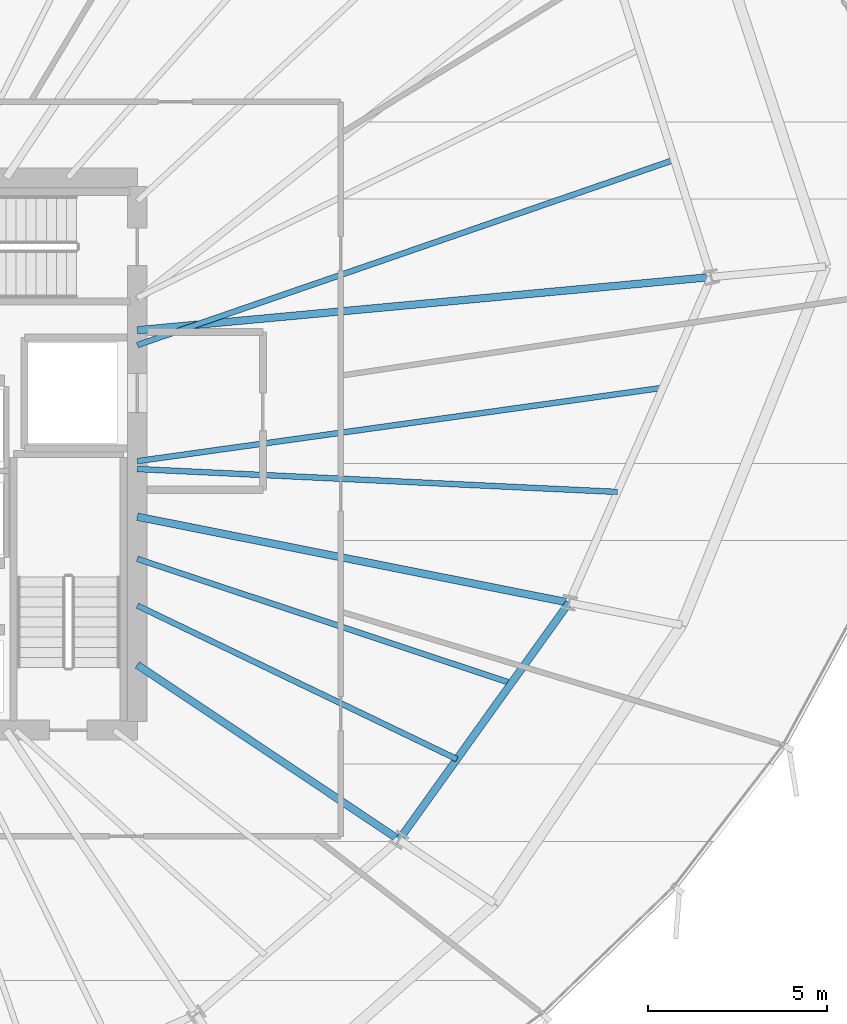
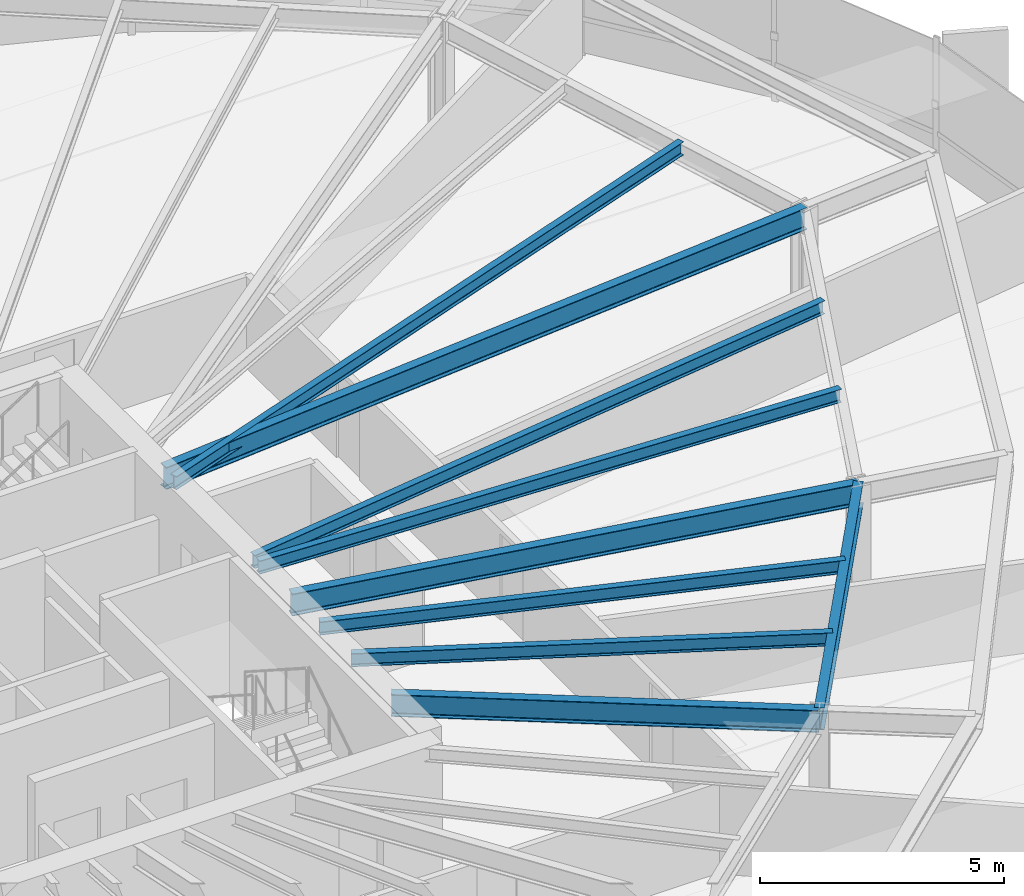
# One storey, part 14 of 35: 9 beams.
"""IFC4 building model written with IfcOpenShell, lengths in metres."""

from ifc_helpers import new_model, si_unit, direction, frame, origin, origin_2d, place, context, subcontext, project, spatial, i_section, extrude, source, transform, mapped, material, material_profile, profile_set, type_object, element, save


model = new_model("IFC4")

# Units and contexts
model_context = context("Model", 3, precision=1e-05, world=origin(), true_north=direction((0.0, 1.0)))
body_context = subcontext(model_context, "Body", "Model", "MODEL_VIEW")
ifc_project = project(units=[si_unit("LENGTHUNIT", "METRE"), si_unit("AREAUNIT", "SQUARE_METRE"), si_unit("VOLUMEUNIT", "CUBIC_METRE"), si_unit("PLANEANGLEUNIT", "RADIAN"), si_unit("MASSUNIT", "GRAM", prefix="KILO"), si_unit("THERMODYNAMICTEMPERATUREUNIT", "KELVIN")], contexts=[model_context])

# Site, building, storey
site_placement = place(None, origin())
site = spatial("IfcSite", under=ifc_project, at=site_placement, CompositionType="ELEMENT")
building_placement = place(site_placement, origin())
building = spatial("IfcBuilding", under=site, at=building_placement, Name="Kethvar Cultural Tower", CompositionType="ELEMENT")
storey_placement = place(building_placement, frame((0.0, 0.0, 100.0)))
storey = spatial("IfcBuildingStorey", under=building, at=storey_placement, Name="L24", CompositionType="ELEMENT", Elevation=100.0)

# Beams
ifc_material = material(Name="Steel S355J2", Category="steel")
ifc_material_profile_1 = material_profile(ifc_material, i_section(OverallWidth=0.2099609375, OverallDepth=0.550048828125, WebThickness=0.010986328125, FlangeThickness=0.01708984375, FilletRadius=0.02392578125, at=origin_2d()), Name="Steel S355J2 — IPE550")
ifc_profile_set_1 = profile_set([ifc_material_profile_1], Name="Steel S355J2 — IPE550")
beam_type_1 = type_object("IfcBeamType", Name="BM-IPE550", PredefinedType="BEAM", material=ifc_profile_set_1)
shared_shape_1 = source(origin(), body_context, "Body", "SweptSolid", [
    extrude(i_section(OverallWidth=0.2099609375, OverallDepth=0.550048828125, WebThickness=0.010986328125, FlangeThickness=0.01708984375, FilletRadius=0.02392578125, at=origin_2d()), origin(), (0.0, 0.0, 1.0), 16.071044921875),
])
beam_1_placement = place(storey_placement, frame((55.60009765625, 31.25, 3.072998046875), z_axis=(0.995731009363, 0.092302529718, 0.0), x_axis=(-0.092302529718, 0.995731009363, 0.0)))
element("IfcBeam", 1, at=beam_1_placement, inside=storey, type_object=beam_type_1, Name="L24 Primary Radial Beam RB-01", PredefinedType="BEAM", context=body_context, shape_type="MappedRepresentation", body=[
    mapped(shared_shape_1, transform((0.0, 0.0, 0.0), scale=1.0)),
])
shared_shape_2 = source(origin(), body_context, "Body", "SweptSolid", [
    extrude(i_section(OverallWidth=0.2099609375, OverallDepth=0.550048828125, WebThickness=0.010986328125, FlangeThickness=0.01708984375, FilletRadius=0.02392578125, at=origin_2d()), origin(), (0.0, 0.0, 1.0), 8.77783203125),
])
beam_2_placement = place(storey_placement, frame((55.60009765625, 21.919921875, 3.072998046875), z_axis=(0.831472186778, -0.555566380026, 0.0), x_axis=(0.555566380026, 0.831472186778, 0.0)))
element("IfcBeam", 2, at=beam_2_placement, inside=storey, type_object=beam_type_1, Name="L24 Primary Radial Beam RB-15", PredefinedType="BEAM", context=body_context, shape_type="MappedRepresentation", body=[
    mapped(shared_shape_2, transform((0.0, 0.0, 0.0), scale=1.0)),
])
shared_shape_3 = source(origin(), body_context, "Body", "SweptSolid", [
    extrude(i_section(OverallWidth=0.2099609375, OverallDepth=0.550048828125, WebThickness=0.010986328125, FlangeThickness=0.01708984375, FilletRadius=0.02392578125, at=origin_2d()), origin(), (0.0, 0.0, 1.0), 12.2744140625),
])
beam_3_placement = place(storey_placement, frame((55.60009765625, 26.049560546875, 3.072998046875), z_axis=(0.980782878234, -0.195102398146, 0.0), x_axis=(0.195102398146, 0.980782878234, 0.0)))
element("IfcBeam", 3, at=beam_3_placement, inside=storey, type_object=beam_type_1, Name="L24 Primary Radial Beam RB-16", PredefinedType="BEAM", context=body_context, shape_type="MappedRepresentation", body=[
    mapped(shared_shape_3, transform((0.0, 0.0, 0.0), scale=1.0)),
])
ifc_material_profile_2 = material_profile(ifc_material, i_section(OverallWidth=0.159912109375, OverallDepth=0.330078125, WebThickness=0.007568359375, FlangeThickness=0.011474609375, FilletRadius=0.01806640625, at=origin_2d()), Name="Steel S355J2 — IPE330")
ifc_profile_set_2 = profile_set([ifc_material_profile_2], Name="Steel S355J2 — IPE330")
beam_type_2 = type_object("IfcBeamType", Name="BM-J330", PredefinedType="JOIST", material=ifc_profile_set_2)
shared_shape_4 = source(origin(), body_context, "Body", "SweptSolid", [
    extrude(i_section(OverallWidth=0.159912109375, OverallDepth=0.330078125, WebThickness=0.007568359375, FlangeThickness=0.011474609375, FilletRadius=0.01806640625, at=origin_2d()), origin(), (0.0, 0.0, 1.0), 15.836669921875),
])
beam_4_placement = place(storey_placement, frame((55.60009765625, 30.836181640625, 3.18310546875), z_axis=(0.945315135904, 0.326158387644, 0.0), x_axis=(-0.326158387644, 0.945315135904, 0.0)))
element("IfcBeam", 4, at=beam_4_placement, inside=storey, type_object=beam_type_2, Name="L24 Composite Floor Joist J-01A", PredefinedType="JOIST", context=body_context, shape_type="MappedRepresentation", body=[
    mapped(shared_shape_4, transform((0.0, 0.0, 0.0), scale=1.0)),
])
shared_shape_5 = source(origin(), body_context, "Body", "SweptSolid", [
    extrude(i_section(OverallWidth=0.2099609375, OverallDepth=0.550048828125, WebThickness=0.010986328125, FlangeThickness=0.01708984375, FilletRadius=0.02392578125, at=origin_2d()), origin(), (0.0, 0.0, 1.0), 8.13525390625),
])
beam_5_placement = place(storey_placement, frame((62.898681640625, 17.043212890625, 3.072998046875), z_axis=(0.582656731995, 0.812718359988, 0.0), x_axis=(-0.812718359988, 0.582656731995, 0.0)))
element("IfcBeam", 5, at=beam_5_placement, inside=storey, type_object=beam_type_1, Name="L24 Column Ring Tie Beam CR-15", PredefinedType="BEAM", context=body_context, shape_type="MappedRepresentation", body=[
    mapped(shared_shape_5, transform((0.0, 0.0, 0.0), scale=1.0)),
])
shared_shape_6 = source(origin(), body_context, "Body", "SweptSolid", [
    extrude(i_section(OverallWidth=0.159912109375, OverallDepth=0.330078125, WebThickness=0.007568359375, FlangeThickness=0.011474609375, FilletRadius=0.01806640625, at=origin_2d()), origin(), (0.0, 0.0, 1.0), 9.885009765625),
])
beam_6_placement = place(storey_placement, frame((55.60009765625, 23.572021484375, 3.18310546875), z_axis=(0.901369611334, -0.43305060185, 0.0), x_axis=(0.43305060185, 0.901369611334, 0.0)))
element("IfcBeam", 6, at=beam_6_placement, inside=storey, type_object=beam_type_2, Name="L24 Composite Floor Joist J-15A", PredefinedType="JOIST", context=body_context, shape_type="MappedRepresentation", body=[
    mapped(shared_shape_6, transform((0.0, 0.0, 0.0), scale=1.0)),
])
shared_shape_7 = source(origin(), body_context, "Body", "SweptSolid", [
    extrude(i_section(OverallWidth=0.159912109375, OverallDepth=0.330078125, WebThickness=0.007568359375, FlangeThickness=0.011474609375, FilletRadius=0.01806640625, at=origin_2d()), origin(), (0.0, 0.0, 1.0), 10.98828125),
])
beam_7_placement = place(storey_placement, frame((55.60009765625, 24.8740234375, 3.18310546875), z_axis=(0.948918548228, -0.315521138481, 0.0), x_axis=(0.315521138481, 0.948918548228, 0.0)))
element("IfcBeam", 7, at=beam_7_placement, inside=storey, type_object=beam_type_2, Name="L24 Composite Floor Joist J-15B", PredefinedType="JOIST", context=body_context, shape_type="MappedRepresentation", body=[
    mapped(shared_shape_7, transform((0.0, 0.0, 0.0), scale=1.0)),
])
shared_shape_8 = source(origin(), body_context, "Body", "SweptSolid", [
    extrude(i_section(OverallWidth=0.159912109375, OverallDepth=0.330078125, WebThickness=0.007568359375, FlangeThickness=0.011474609375, FilletRadius=0.01806640625, at=origin_2d()), origin(), (0.0, 0.0, 1.0), 13.4013671875),
])
beam_8_placement = place(storey_placement, frame((55.60009765625, 27.380126953125, 3.18310546875), z_axis=(0.998864631653, -0.047638719894, 0.0), x_axis=(0.047638719894, 0.998864631653, 0.0)))
element("IfcBeam", 8, at=beam_8_placement, inside=storey, type_object=beam_type_2, Name="L24 Composite Floor Joist J-16A", PredefinedType="JOIST", context=body_context, shape_type="MappedRepresentation", body=[
    mapped(shared_shape_8, transform((0.0, 0.0, 0.0), scale=1.0)),
])
shared_shape_9 = source(origin(), body_context, "Body", "SweptSolid", [
    extrude(i_section(OverallWidth=0.159912109375, OverallDepth=0.330078125, WebThickness=0.007568359375, FlangeThickness=0.011474609375, FilletRadius=0.01806640625, at=origin_2d()), origin(), (0.0, 0.0, 1.0), 14.797119140625),
])
beam_9_placement = place(storey_placement, frame((55.60009765625, 27.60009765625, 3.18310546875), z_axis=(0.990388450305, 0.138313836986, 0.0), x_axis=(-0.138313836986, 0.990388450305, 0.0)))
element("IfcBeam", 9, at=beam_9_placement, inside=storey, type_object=beam_type_2, Name="L24 Composite Floor Joist J-16B", PredefinedType="JOIST", context=body_context, shape_type="MappedRepresentation", body=[
    mapped(shared_shape_9, transform((0.0, 0.0, 0.0), scale=1.0)),
])

save(model, "model.ifc")
